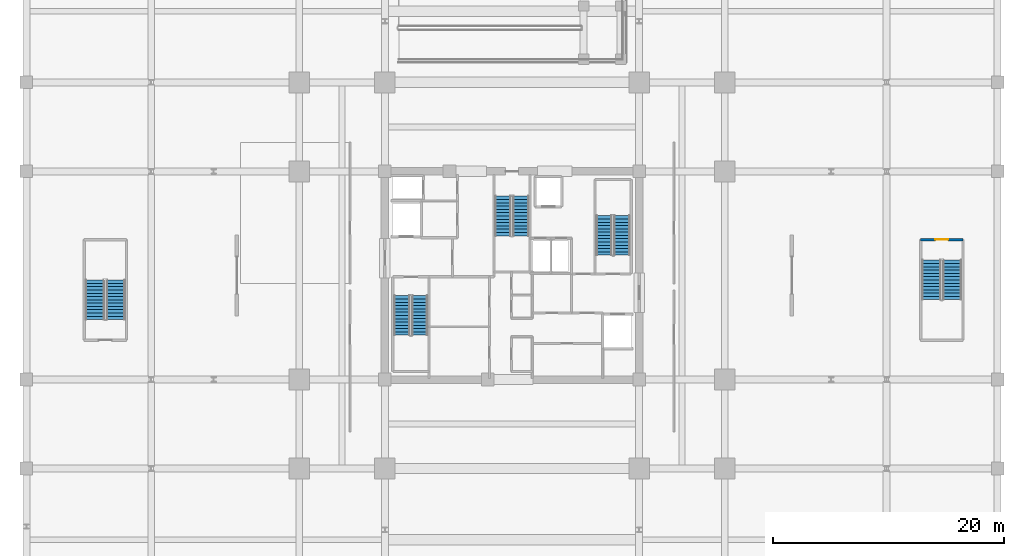
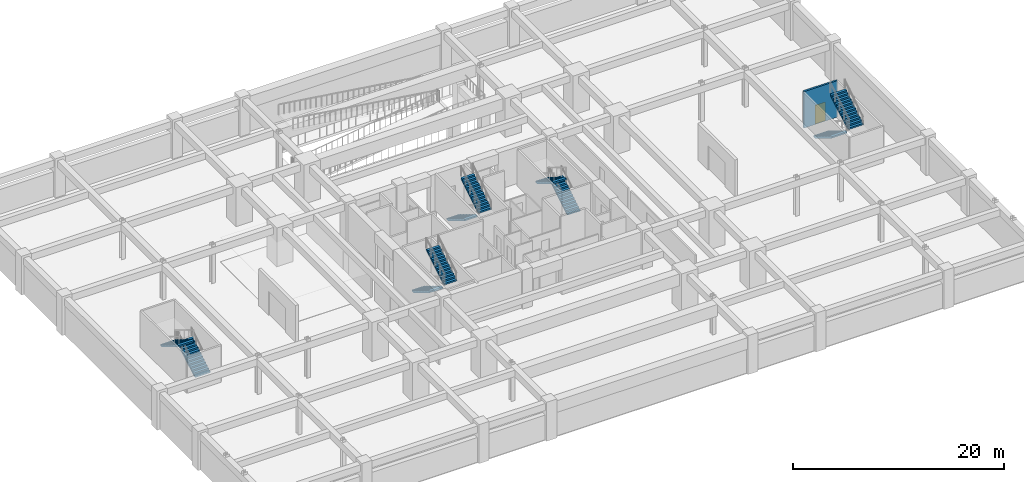
# One storey, part 11 of 16: 10 stair flights, 1 door, 1 wall, 1 opening, 5 elements without a shape of their own.
"""IFC4 building model written with IfcOpenShell, lengths in metres."""

from ifc_helpers import new_model, si_unit, direction, frame, frame_2d, origin, place, context, subcontext, project, spatial, polyline, rectangle, outline, extrude, material, layer, layer_set, type_object, element, fill, aggregate, save


model = new_model("IFC4")

# Units and contexts
model_context = context("Model", 3, precision=1e-05, world=origin(), true_north=direction((0.0, 1.0)))
body_context = subcontext(model_context, "Body", "Model", "MODEL_VIEW")
ifc_project = project(units=[si_unit("LENGTHUNIT", "METRE"), si_unit("AREAUNIT", "SQUARE_METRE"), si_unit("VOLUMEUNIT", "CUBIC_METRE"), si_unit("PLANEANGLEUNIT", "RADIAN"), si_unit("MASSUNIT", "GRAM", prefix="KILO")], contexts=[model_context])

# Site, building, storey
site_placement = place(None, origin())
site = spatial("IfcSite", under=ifc_project, at=site_placement, CompositionType="ELEMENT")
building_placement = place(site_placement, origin())
building = spatial("IfcBuilding", under=site, at=building_placement, Name="Kovane Verandah Tower", CompositionType="ELEMENT")
storey_placement = place(building_placement, frame((0.0, 0.0, -4.5)))
storey = spatial("IfcBuildingStorey", under=building, at=storey_placement, Name="B1", CompositionType="ELEMENT", Elevation=-4.5)

# Wall, opening, door
ifc_material_1 = material(Name="Concrete C45/55", Category="concrete")
ifc_layer = layer(ifc_material_1, 0.199951171875)
ifc_layer_set = layer_set([ifc_layer], Name="Concrete C45/55")
wall_type = type_object("IfcWallType", Name="WL-SHAFT-200", PredefinedType="SOLIDWALL", material=ifc_layer_set)
wall_placement = place(storey_placement, frame((75.340087890625, 30.60009765625, 0.0), z_axis=(0.0, 0.0, 1.0), x_axis=(1.0, 0.0, 0.0)))
wall = element("IfcWall", 1, at=wall_placement, inside=storey, type_object=wall_type, Name="W-B1-ST-05-N", PredefinedType="SOLIDWALL", context=body_context, shape_type="SweptSolid", body=[
    extrude(rectangle(XDim=3.659912109375, YDim=0.199951171875, at=frame_2d((1.830078125, 0.0))), origin(), (0.0, 0.0, 1.0), 4.219970703125),
])
opening_placement = place(wall_placement, frame((1.280029296875, 0.0, 0.0)))
opening = element("IfcOpeningElement", 2, at=opening_placement, cuts=wall, Name="Opening DR-B1-011", PredefinedType="OPENING", context=body_context, shape_type="SweptSolid", body=[
    extrude(rectangle(XDim=1.10009765625, YDim=2.14990234375, at=frame_2d((0.550048828125, 1.074951171875))), frame((0.0, 0.10009765625, 0.0), z_axis=(0.0, -1.0, 0.0), x_axis=(1.0, 0.0, 0.0)), (0.0, 0.0, 1.0), 0.199951171875),
])
ifc_material_2 = material(Name="Fire-Rated Steel Exit Door", Category="steel")
door_type = type_object("IfcDoorType", Name="DR-STAIR-1100", OperationType="SINGLE_SWING_LEFT", PredefinedType="DOOR", material=ifc_material_2)
door_placement = place(opening_placement, origin())
door = element("IfcDoor", 3, at=door_placement, inside=storey, type_object=door_type, Name="B1 ST-05 Fire Exit Stair Door", OperationType="SINGLE_SWING_LEFT", OverallHeight=2.14990234375, OverallWidth=1.10009765625, PredefinedType="DOOR", context=body_context, shape_type="SweptSolid", body=[
    extrude(rectangle(XDim=1.10009765625, YDim=2.14990234375, at=frame_2d((0.550048828125, 1.074951171875))), frame((0.0, 0.02490234375, 0.0), z_axis=(0.0, -1.0, 0.0), x_axis=(1.0, 0.0, 0.0)), (0.0, 0.0, 1.0), 0.050048828125),
])
fill(opening, door)

# Stair, stair flights
stair_type = type_object("IfcStairType", Name="ST-CORE-1380", PredefinedType="HALF_TURN_STAIR", material=ifc_material_1)
stair_1_placement = place(storey_placement, origin())
stair_1 = element("IfcStair", 4, at=stair_1_placement, inside=storey, type_object=stair_type, Name="B1 Exit Stair ST-01", PredefinedType="HALF_TURN_STAIR")
stair_flight_type = type_object("IfcStairFlightType", Name="STF-CORE-1380", PredefinedType="STRAIGHT", material=ifc_material_1)
stair_flight_1_placement = place(storey_placement, frame((30.489990234375, 25.75, 0.0), z_axis=(0.0, 0.0, 1.0), x_axis=(0.0, -1.0, 0.0)))
stair_flight_1 = element("IfcStairFlight", 5, at=stair_flight_1_placement, type_object=stair_flight_type, Name="ST-01 flight 1", NumberOfRisers=13, NumberOfTreads=12, PredefinedType="STRAIGHT", RiserHeight=0.173076923, TreadLength=0.285, context=body_context, shape_type="SweptSolid", body=[
    extrude(outline(polyline([(0.0, 0.0), (0.0, 0.173095703125), (0.284912109375, 0.173095703125), (0.284912109375, 0.34619140625), (0.570068359375, 0.34619140625), (0.570068359375, 0.519287109375), (0.85498046875, 0.519287109375), (0.85498046875, 0.6923828125), (1.139892578125, 0.6923828125), (1.139892578125, 0.865478515625), (1.425048828125, 0.865478515625), (1.425048828125, 1.03857421875), (1.7099609375, 1.03857421875), (1.7099609375, 1.21142578125), (1.9951171875, 1.21142578125), (1.9951171875, 1.384521484375), (2.280029296875, 1.384521484375), (2.280029296875, 1.5576171875), (2.56494140625, 1.5576171875), (2.56494140625, 1.730712890625), (2.85009765625, 1.730712890625), (2.85009765625, 1.90380859375), (3.135009765625, 1.90380859375), (3.135009765625, 2.076904296875), (3.419921875, 2.076904296875), (3.419921875, 2.25), (3.419921875, 1.901611328125), (0.288818359375, 0.0), (0.0, 0.0)])), frame((0.0, 0.68994140625, 0.0), z_axis=(0.0, -1.0, 0.0), x_axis=(1.0, 0.0, 0.0)), (0.0, 0.0, 1.0), 1.3798828125),
])
stair_flight_2_placement = place(storey_placement, frame((32.030029296875, 22.330078125, 2.25), z_axis=(0.0, 0.0, 1.0), x_axis=(0.0, 1.0, 0.0)))
stair_flight_2 = element("IfcStairFlight", 6, at=stair_flight_2_placement, type_object=stair_flight_type, Name="ST-01 flight 2", NumberOfRisers=13, NumberOfTreads=12, PredefinedType="STRAIGHT", RiserHeight=0.173076923, TreadLength=0.285, context=body_context, shape_type="SweptSolid", body=[
    extrude(outline(polyline([(0.0, 0.0), (0.0, 0.173095703125), (0.284912109375, 0.173095703125), (0.284912109375, 0.34619140625), (0.570068359375, 0.34619140625), (0.570068359375, 0.519287109375), (0.85498046875, 0.519287109375), (0.85498046875, 0.6923828125), (1.139892578125, 0.6923828125), (1.139892578125, 0.865478515625), (1.425048828125, 0.865478515625), (1.425048828125, 1.03857421875), (1.7099609375, 1.03857421875), (1.7099609375, 1.21142578125), (1.9951171875, 1.21142578125), (1.9951171875, 1.384521484375), (2.280029296875, 1.384521484375), (2.280029296875, 1.5576171875), (2.56494140625, 1.5576171875), (2.56494140625, 1.730712890625), (2.85009765625, 1.730712890625), (2.85009765625, 1.90380859375), (3.135009765625, 1.90380859375), (3.135009765625, 2.076904296875), (3.419921875, 2.076904296875), (3.419921875, 2.25), (3.419921875, 1.901611328125), (0.288818359375, 0.0), (0.0, 0.0)])), frame((0.0, 0.68994140625, 0.0), z_axis=(0.0, -1.0, 0.0), x_axis=(1.0, 0.0, 0.0)), (0.0, 0.0, 1.0), 1.3798828125),
])
aggregate(stair_1, [stair_flight_1, stair_flight_2])

stair_2_placement = place(storey_placement, origin())
stair_2 = element("IfcStair", 7, at=stair_2_placement, inside=storey, type_object=stair_type, Name="B1 Exit Stair ST-02", PredefinedType="HALF_TURN_STAIR")
stair_flight_3_placement = place(storey_placement, frame((49.510009765625, 29.25, 0.0), z_axis=(0.0, 0.0, 1.0), x_axis=(0.0, 1.0, 0.0)))
stair_flight_3 = element("IfcStairFlight", 8, at=stair_flight_3_placement, type_object=stair_flight_type, Name="ST-02 flight 1", NumberOfRisers=13, NumberOfTreads=12, PredefinedType="STRAIGHT", RiserHeight=0.173076923, TreadLength=0.285, context=body_context, shape_type="SweptSolid", body=[
    extrude(outline(polyline([(0.0, 0.0), (0.0, 0.173095703125), (0.284912109375, 0.173095703125), (0.284912109375, 0.34619140625), (0.570068359375, 0.34619140625), (0.570068359375, 0.519287109375), (0.85498046875, 0.519287109375), (0.85498046875, 0.6923828125), (1.139892578125, 0.6923828125), (1.139892578125, 0.865478515625), (1.425048828125, 0.865478515625), (1.425048828125, 1.03857421875), (1.7099609375, 1.03857421875), (1.7099609375, 1.21142578125), (1.9951171875, 1.21142578125), (1.9951171875, 1.384521484375), (2.280029296875, 1.384521484375), (2.280029296875, 1.5576171875), (2.56494140625, 1.5576171875), (2.56494140625, 1.730712890625), (2.85009765625, 1.730712890625), (2.85009765625, 1.90380859375), (3.135009765625, 1.90380859375), (3.135009765625, 2.076904296875), (3.419921875, 2.076904296875), (3.419921875, 2.25), (3.419921875, 1.901611328125), (0.288818359375, 0.0), (0.0, 0.0)])), frame((0.0, 0.68994140625, 0.0), z_axis=(0.0, -1.0, 0.0), x_axis=(1.0, 0.0, 0.0)), (0.0, 0.0, 1.0), 1.3798828125),
])
stair_flight_4_placement = place(storey_placement, frame((47.969970703125, 32.669921875, 2.25), z_axis=(0.0, 0.0, 1.0), x_axis=(0.0, -1.0, 0.0)))
stair_flight_4 = element("IfcStairFlight", 9, at=stair_flight_4_placement, type_object=stair_flight_type, Name="ST-02 flight 2", NumberOfRisers=13, NumberOfTreads=12, PredefinedType="STRAIGHT", RiserHeight=0.173076923, TreadLength=0.285, context=body_context, shape_type="SweptSolid", body=[
    extrude(outline(polyline([(0.0, 0.0), (0.0, 0.173095703125), (0.284912109375, 0.173095703125), (0.284912109375, 0.34619140625), (0.570068359375, 0.34619140625), (0.570068359375, 0.519287109375), (0.85498046875, 0.519287109375), (0.85498046875, 0.6923828125), (1.139892578125, 0.6923828125), (1.139892578125, 0.865478515625), (1.425048828125, 0.865478515625), (1.425048828125, 1.03857421875), (1.7099609375, 1.03857421875), (1.7099609375, 1.21142578125), (1.9951171875, 1.21142578125), (1.9951171875, 1.384521484375), (2.280029296875, 1.384521484375), (2.280029296875, 1.5576171875), (2.56494140625, 1.5576171875), (2.56494140625, 1.730712890625), (2.85009765625, 1.730712890625), (2.85009765625, 1.90380859375), (3.135009765625, 1.90380859375), (3.135009765625, 2.076904296875), (3.419921875, 2.076904296875), (3.419921875, 2.25), (3.419921875, 1.901611328125), (0.288818359375, 0.0), (0.0, 0.0)])), frame((0.0, 0.68994140625, 0.0), z_axis=(0.0, -1.0, 0.0), x_axis=(1.0, 0.0, 0.0)), (0.0, 0.0, 1.0), 1.3798828125),
])
aggregate(stair_2, [stair_flight_3, stair_flight_4])

stair_3_placement = place(storey_placement, origin())
stair_3 = element("IfcStair", 10, at=stair_3_placement, inside=storey, type_object=stair_type, Name="B1 Exit Stair ST-03", PredefinedType="HALF_TURN_STAIR")
stair_flight_5_placement = place(storey_placement, frame((39.22998046875, 34.35009765625, 0.0), z_axis=(0.0, 0.0, 1.0), x_axis=(0.0, -1.0, 0.0)))
stair_flight_5 = element("IfcStairFlight", 11, at=stair_flight_5_placement, type_object=stair_flight_type, Name="ST-03 flight 1", NumberOfRisers=13, NumberOfTreads=12, PredefinedType="STRAIGHT", RiserHeight=0.173076923, TreadLength=0.285, context=body_context, shape_type="SweptSolid", body=[
    extrude(outline(polyline([(0.0, 0.0), (0.0, 0.173095703125), (0.284912109375, 0.173095703125), (0.284912109375, 0.34619140625), (0.570068359375, 0.34619140625), (0.570068359375, 0.519287109375), (0.85498046875, 0.519287109375), (0.85498046875, 0.6923828125), (1.139892578125, 0.6923828125), (1.139892578125, 0.865478515625), (1.425048828125, 0.865478515625), (1.425048828125, 1.03857421875), (1.7099609375, 1.03857421875), (1.7099609375, 1.21142578125), (1.9951171875, 1.21142578125), (1.9951171875, 1.384521484375), (2.280029296875, 1.384521484375), (2.280029296875, 1.5576171875), (2.56494140625, 1.5576171875), (2.56494140625, 1.730712890625), (2.85009765625, 1.730712890625), (2.85009765625, 1.90380859375), (3.135009765625, 1.90380859375), (3.135009765625, 2.076904296875), (3.419921875, 2.076904296875), (3.419921875, 2.25), (3.419921875, 1.901611328125), (0.288818359375, 0.0), (0.0, 0.0)])), frame((0.0, 0.68994140625, 0.0), z_axis=(0.0, -1.0, 0.0), x_axis=(1.0, 0.0, 0.0)), (0.0, 0.0, 1.0), 1.3798828125),
])
stair_flight_6_placement = place(storey_placement, frame((40.77001953125, 30.929931640625, 2.25), z_axis=(0.0, 0.0, 1.0), x_axis=(0.0, 1.0, 0.0)))
stair_flight_6 = element("IfcStairFlight", 12, at=stair_flight_6_placement, type_object=stair_flight_type, Name="ST-03 flight 2", NumberOfRisers=13, NumberOfTreads=12, PredefinedType="STRAIGHT", RiserHeight=0.173076923, TreadLength=0.285, context=body_context, shape_type="SweptSolid", body=[
    extrude(outline(polyline([(0.0, 0.0), (0.0, 0.173095703125), (0.284912109375, 0.173095703125), (0.284912109375, 0.34619140625), (0.570068359375, 0.34619140625), (0.570068359375, 0.519287109375), (0.85498046875, 0.519287109375), (0.85498046875, 0.6923828125), (1.139892578125, 0.6923828125), (1.139892578125, 0.865478515625), (1.425048828125, 0.865478515625), (1.425048828125, 1.03857421875), (1.7099609375, 1.03857421875), (1.7099609375, 1.21142578125), (1.9951171875, 1.21142578125), (1.9951171875, 1.384521484375), (2.280029296875, 1.384521484375), (2.280029296875, 1.5576171875), (2.56494140625, 1.5576171875), (2.56494140625, 1.730712890625), (2.85009765625, 1.730712890625), (2.85009765625, 1.90380859375), (3.135009765625, 1.90380859375), (3.135009765625, 2.076904296875), (3.419921875, 2.076904296875), (3.419921875, 2.25), (3.419921875, 1.901611328125), (0.288818359375, 0.0), (0.0, 0.0)])), frame((0.0, 0.68994140625, 0.0), z_axis=(0.0, -1.0, 0.0), x_axis=(1.0, 0.0, 0.0)), (0.0, 0.0, 1.0), 1.3798828125),
])
aggregate(stair_3, [stair_flight_5, stair_flight_6])

stair_4_placement = place(storey_placement, origin())
stair_4 = element("IfcStair", 13, at=stair_4_placement, inside=storey, type_object=stair_type, Name="B1 Exit Stair ST-04", PredefinedType="HALF_TURN_STAIR")
stair_flight_7_placement = place(storey_placement, frame((5.735107421875, 23.679931640625, 0.0), z_axis=(0.0, 0.0, 1.0), x_axis=(0.0, 1.0, 0.0)))
stair_flight_7 = element("IfcStairFlight", 14, at=stair_flight_7_placement, type_object=stair_flight_type, Name="ST-04 flight 1", NumberOfRisers=13, NumberOfTreads=12, PredefinedType="STRAIGHT", RiserHeight=0.173076923, TreadLength=0.285, context=body_context, shape_type="SweptSolid", body=[
    extrude(outline(polyline([(0.0, 0.0), (0.0, 0.173095703125), (0.284912109375, 0.173095703125), (0.284912109375, 0.34619140625), (0.570068359375, 0.34619140625), (0.570068359375, 0.519287109375), (0.85498046875, 0.519287109375), (0.85498046875, 0.6923828125), (1.139892578125, 0.6923828125), (1.139892578125, 0.865478515625), (1.425048828125, 0.865478515625), (1.425048828125, 1.03857421875), (1.7099609375, 1.03857421875), (1.7099609375, 1.21142578125), (1.9951171875, 1.21142578125), (1.9951171875, 1.384521484375), (2.280029296875, 1.384521484375), (2.280029296875, 1.5576171875), (2.56494140625, 1.5576171875), (2.56494140625, 1.730712890625), (2.85009765625, 1.730712890625), (2.85009765625, 1.90380859375), (3.135009765625, 1.90380859375), (3.135009765625, 2.076904296875), (3.419921875, 2.076904296875), (3.419921875, 2.25), (3.419921875, 1.901611328125), (0.288818359375, 0.0), (0.0, 0.0)])), frame((0.0, 0.824951171875, 0.0), z_axis=(0.0, -1.0, 0.0), x_axis=(1.0, 0.0, 0.0)), (0.0, 0.0, 1.0), 1.64990234375),
])
stair_flight_8_placement = place(storey_placement, frame((3.925048828125, 27.10009765625, 2.25), z_axis=(0.0, 0.0, 1.0), x_axis=(0.0, -1.0, 0.0)))
stair_flight_8 = element("IfcStairFlight", 15, at=stair_flight_8_placement, type_object=stair_flight_type, Name="ST-04 flight 2", NumberOfRisers=13, NumberOfTreads=12, PredefinedType="STRAIGHT", RiserHeight=0.173076923, TreadLength=0.285, context=body_context, shape_type="SweptSolid", body=[
    extrude(outline(polyline([(0.0, 0.0), (0.0, 0.173095703125), (0.284912109375, 0.173095703125), (0.284912109375, 0.34619140625), (0.570068359375, 0.34619140625), (0.570068359375, 0.519287109375), (0.85498046875, 0.519287109375), (0.85498046875, 0.6923828125), (1.139892578125, 0.6923828125), (1.139892578125, 0.865478515625), (1.425048828125, 0.865478515625), (1.425048828125, 1.03857421875), (1.7099609375, 1.03857421875), (1.7099609375, 1.21142578125), (1.9951171875, 1.21142578125), (1.9951171875, 1.384521484375), (2.280029296875, 1.384521484375), (2.280029296875, 1.5576171875), (2.56494140625, 1.5576171875), (2.56494140625, 1.730712890625), (2.85009765625, 1.730712890625), (2.85009765625, 1.90380859375), (3.135009765625, 1.90380859375), (3.135009765625, 2.076904296875), (3.419921875, 2.076904296875), (3.419921875, 2.25), (3.419921875, 1.901611328125), (0.288818359375, 0.0), (0.0, 0.0)])), frame((0.0, 0.824951171875, 0.0), z_axis=(0.0, -1.0, 0.0), x_axis=(1.0, 0.0, 0.0)), (0.0, 0.0, 1.0), 1.64990234375),
])
aggregate(stair_4, [stair_flight_7, stair_flight_8])

stair_5_placement = place(storey_placement, origin())
stair_5 = element("IfcStair", 16, at=stair_5_placement, inside=storey, type_object=stair_type, Name="B1 Exit Stair ST-05", PredefinedType="HALF_TURN_STAIR")
stair_flight_9_placement = place(storey_placement, frame((76.264892578125, 28.820068359375, 0.0), z_axis=(0.0, 0.0, 1.0), x_axis=(0.0, -1.0, 0.0)))
stair_flight_9 = element("IfcStairFlight", 17, at=stair_flight_9_placement, type_object=stair_flight_type, Name="ST-05 flight 1", NumberOfRisers=13, NumberOfTreads=12, PredefinedType="STRAIGHT", RiserHeight=0.173076923, TreadLength=0.285, context=body_context, shape_type="SweptSolid", body=[
    extrude(outline(polyline([(0.0, 0.0), (0.0, 0.173095703125), (0.284912109375, 0.173095703125), (0.284912109375, 0.34619140625), (0.570068359375, 0.34619140625), (0.570068359375, 0.519287109375), (0.85498046875, 0.519287109375), (0.85498046875, 0.6923828125), (1.139892578125, 0.6923828125), (1.139892578125, 0.865478515625), (1.425048828125, 0.865478515625), (1.425048828125, 1.03857421875), (1.7099609375, 1.03857421875), (1.7099609375, 1.21142578125), (1.9951171875, 1.21142578125), (1.9951171875, 1.384521484375), (2.280029296875, 1.384521484375), (2.280029296875, 1.5576171875), (2.56494140625, 1.5576171875), (2.56494140625, 1.730712890625), (2.85009765625, 1.730712890625), (2.85009765625, 1.90380859375), (3.135009765625, 1.90380859375), (3.135009765625, 2.076904296875), (3.419921875, 2.076904296875), (3.419921875, 2.25), (3.419921875, 1.901611328125), (0.288818359375, 0.0), (0.0, 0.0)])), frame((0.0, 0.824951171875, 0.0), z_axis=(0.0, -1.0, 0.0), x_axis=(1.0, 0.0, 0.0)), (0.0, 0.0, 1.0), 1.64990234375),
])
stair_flight_10_placement = place(storey_placement, frame((78.074951171875, 25.39990234375, 2.25), z_axis=(0.0, 0.0, 1.0), x_axis=(0.0, 1.0, 0.0)))
stair_flight_10 = element("IfcStairFlight", 18, at=stair_flight_10_placement, type_object=stair_flight_type, Name="ST-05 flight 2", NumberOfRisers=13, NumberOfTreads=12, PredefinedType="STRAIGHT", RiserHeight=0.173076923, TreadLength=0.285, context=body_context, shape_type="SweptSolid", body=[
    extrude(outline(polyline([(0.0, 0.0), (0.0, 0.173095703125), (0.284912109375, 0.173095703125), (0.284912109375, 0.34619140625), (0.570068359375, 0.34619140625), (0.570068359375, 0.519287109375), (0.85498046875, 0.519287109375), (0.85498046875, 0.6923828125), (1.139892578125, 0.6923828125), (1.139892578125, 0.865478515625), (1.425048828125, 0.865478515625), (1.425048828125, 1.03857421875), (1.7099609375, 1.03857421875), (1.7099609375, 1.21142578125), (1.9951171875, 1.21142578125), (1.9951171875, 1.384521484375), (2.280029296875, 1.384521484375), (2.280029296875, 1.5576171875), (2.56494140625, 1.5576171875), (2.56494140625, 1.730712890625), (2.85009765625, 1.730712890625), (2.85009765625, 1.90380859375), (3.135009765625, 1.90380859375), (3.135009765625, 2.076904296875), (3.419921875, 2.076904296875), (3.419921875, 2.25), (3.419921875, 1.901611328125), (0.288818359375, 0.0), (0.0, 0.0)])), frame((0.0, 0.824951171875, 0.0), z_axis=(0.0, -1.0, 0.0), x_axis=(1.0, 0.0, 0.0)), (0.0, 0.0, 1.0), 1.64990234375),
])
aggregate(stair_5, [stair_flight_9, stair_flight_10])

save(model, "model.ifc")
